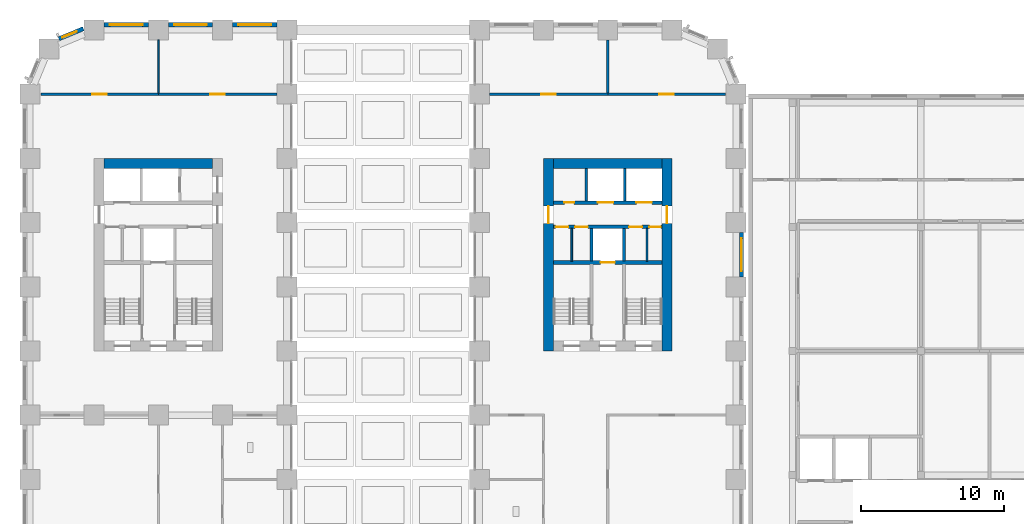
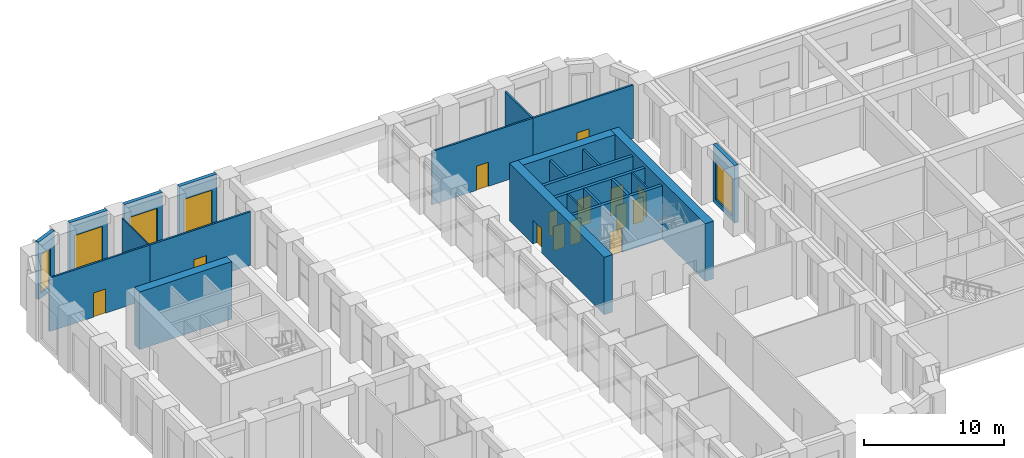
# One storey, part 12 of 24: 24 walls, 14 doors, 5 windows, 19 openings.
"""IFC4 building model written with IfcOpenShell, lengths in metres."""

from ifc_helpers import new_model, si_unit, direction, frame, frame_2d, origin, place, context, subcontext, project, spatial, rectangle, extrude, material, layer, layer_set, type_object, element, fill, save


model = new_model("IFC4")

# Units and contexts
model_context = context("Model", 3, precision=1e-05, world=origin(), true_north=direction((0.0, 1.0)))
body_context = subcontext(model_context, "Body", "Model", "MODEL_VIEW")
ifc_project = project(units=[si_unit("LENGTHUNIT", "METRE"), si_unit("AREAUNIT", "SQUARE_METRE"), si_unit("VOLUMEUNIT", "CUBIC_METRE"), si_unit("PLANEANGLEUNIT", "RADIAN"), si_unit("MASSUNIT", "GRAM", prefix="KILO")], contexts=[model_context])

# Site, building, storey
site_placement = place(None, origin())
site = spatial("IfcSite", under=ifc_project, at=site_placement, CompositionType="ELEMENT")
building_placement = place(site_placement, origin())
building = spatial("IfcBuilding", under=site, at=building_placement, Name="Girih Gate Residences", CompositionType="ELEMENT")
storey_placement = place(building_placement, frame((0.0, 0.0, 16.0)))
storey = spatial("IfcBuildingStorey", under=building, at=storey_placement, Name="L03", CompositionType="ELEMENT", Elevation=16.0)

# Wall
ifc_material_1 = material(Name="Gypsum board on steel studs", Category="steel")
ifc_layer_1 = layer(ifc_material_1, 0.14990234375)
ifc_layer_set_1 = layer_set([ifc_layer_1], Name="Compartment wall 150 mm")
wall_type_1 = type_object("IfcWallType", Name="Compartment wall 150 mm", PredefinedType="PARTITIONING", material=ifc_layer_set_1)
wall_1_placement = place(storey_placement, frame((40.5, 45.074951171875, 0.0), z_axis=(0.0, 0.0, 1.0), x_axis=(0.0, 1.0, 0.0)))
element("IfcWall", 1, at=wall_1_placement, inside=storey, type_object=wall_type_1, Name="L03 partition", PredefinedType="PARTITIONING", context=body_context, shape_type="SweptSolid", body=[
    extrude(rectangle(XDim=3.72509765625, YDim=0.14990234375, at=frame_2d((1.862548828125, 0.0))), origin(), (0.0, 0.0, 1.0), 4.64990234375),
])

# Wall, opening, door
wall_2_placement = place(storey_placement, frame((40.5, 45.0, 0.0), z_axis=(0.0, 0.0, 1.0), x_axis=(1.0, 0.0, 0.0)))
wall_2 = element("IfcWall", 2, at=wall_2_placement, inside=storey, type_object=wall_type_1, Name="L03 partition", PredefinedType="PARTITIONING", context=body_context, shape_type="SweptSolid", body=[
    extrude(rectangle(XDim=8.242431640625, YDim=0.14990234375, at=frame_2d((4.12109375, 0.0))), origin(), (0.0, 0.0, 1.0), 4.64990234375),
])
opening_1_placement = place(wall_2_placement, frame((3.62109375, 0.0, 0.0)))
opening_1 = element("IfcOpeningElement", 3, at=opening_1_placement, cuts=wall_2, Name="Opening D-L03-S-009", PredefinedType="OPENING", context=body_context, shape_type="SweptSolid", body=[
    extrude(rectangle(XDim=1.0, YDim=2.10009765625, at=frame_2d((0.5, 1.050048828125))), frame((0.0, 0.0849609375, 0.0), z_axis=(0.0, -1.0, 0.0), x_axis=(1.0, 0.0, 0.0)), (0.0, 0.0, 1.0), 0.169921875),
])
ifc_material_2 = material(Name="Timber, fire-rated core", Category="wood")
door_type_1 = type_object("IfcDoorType", Name="Amenity door 1000x2100 FD30S", OperationType="SINGLE_SWING_LEFT", PredefinedType="DOOR", material=ifc_material_2)
door_1_placement = place(opening_1_placement, origin())
door_1 = element("IfcDoor", 4, at=door_1_placement, inside=storey, type_object=door_type_1, Name="Door L03-009", OperationType="SINGLE_SWING_RIGHT", OverallHeight=2.10009765625, OverallWidth=1.0, PredefinedType="DOOR", context=body_context, shape_type="SweptSolid", body=[
    extrude(rectangle(XDim=1.0, YDim=2.10009765625, at=frame_2d((0.5, 1.050048828125))), frame((0.0, 0.02490234375, 0.0), z_axis=(0.0, -1.0, 0.0), x_axis=(1.0, 0.0, 0.0)), (0.0, 0.0, 1.0), 0.050048828125),
])
fill(opening_1, door_1)

wall_3_placement = place(storey_placement, frame((32.199951171875, 45.0, 0.0), z_axis=(0.0, 0.0, 1.0), x_axis=(1.0, 0.0, 0.0)))
wall_3 = element("IfcWall", 5, at=wall_3_placement, inside=storey, type_object=wall_type_1, Name="L03 partition", PredefinedType="PARTITIONING", context=body_context, shape_type="SweptSolid", body=[
    extrude(rectangle(XDim=8.300048828125, YDim=0.14990234375, at=frame_2d((4.14990234375, 0.0))), origin(), (0.0, 0.0, 1.0), 4.64990234375),
])
opening_2_placement = place(wall_3_placement, frame((3.64990234375, 0.0, 0.0)))
opening_2 = element("IfcOpeningElement", 6, at=opening_2_placement, cuts=wall_3, Name="Opening D-L03-S-010", PredefinedType="OPENING", context=body_context, shape_type="SweptSolid", body=[
    extrude(rectangle(XDim=1.0, YDim=2.10009765625, at=frame_2d((0.5, 1.050048828125))), frame((0.0, 0.0849609375, 0.0), z_axis=(0.0, -1.0, 0.0), x_axis=(1.0, 0.0, 0.0)), (0.0, 0.0, 1.0), 0.169921875),
])
door_2_placement = place(opening_2_placement, origin())
door_2 = element("IfcDoor", 7, at=door_2_placement, inside=storey, type_object=door_type_1, Name="Door L03-010", OperationType="SINGLE_SWING_RIGHT", OverallHeight=2.10009765625, OverallWidth=1.0, PredefinedType="DOOR", context=body_context, shape_type="SweptSolid", body=[
    extrude(rectangle(XDim=1.0, YDim=2.10009765625, at=frame_2d((0.5, 1.050048828125))), frame((0.0, 0.02490234375, 0.0), z_axis=(0.0, -1.0, 0.0), x_axis=(1.0, 0.0, 0.0)), (0.0, 0.0, 1.0), 0.050048828125),
])
fill(opening_2, door_2)

wall_4_placement = place(storey_placement, frame((0.757568359375, 45.0, 0.0), z_axis=(0.0, 0.0, 1.0), x_axis=(1.0, 0.0, 0.0)))
wall_4 = element("IfcWall", 8, at=wall_4_placement, inside=storey, type_object=wall_type_1, Name="L03 partition", PredefinedType="PARTITIONING", context=body_context, shape_type="SweptSolid", body=[
    extrude(rectangle(XDim=8.242431640625, YDim=0.14990234375, at=frame_2d((4.12109375, 0.0))), origin(), (0.0, 0.0, 1.0), 4.64990234375),
])
opening_3_placement = place(wall_4_placement, frame((3.62109375, 0.0, 0.0)))
opening_3 = element("IfcOpeningElement", 9, at=opening_3_placement, cuts=wall_4, Name="Opening D-L03-S-019", PredefinedType="OPENING", context=body_context, shape_type="SweptSolid", body=[
    extrude(rectangle(XDim=1.0, YDim=2.10009765625, at=frame_2d((0.5, 1.050048828125))), frame((0.0, 0.0849609375, 0.0), z_axis=(0.0, -1.0, 0.0), x_axis=(1.0, 0.0, 0.0)), (0.0, 0.0, 1.0), 0.169921875),
])
door_3_placement = place(opening_3_placement, origin())
door_3 = element("IfcDoor", 10, at=door_3_placement, inside=storey, type_object=door_type_1, Name="Door L03-019", OperationType="SINGLE_SWING_RIGHT", OverallHeight=2.10009765625, OverallWidth=1.0, PredefinedType="DOOR", context=body_context, shape_type="SweptSolid", body=[
    extrude(rectangle(XDim=1.0, YDim=2.10009765625, at=frame_2d((0.5, 1.050048828125))), frame((0.0, 0.02490234375, 0.0), z_axis=(0.0, -1.0, 0.0), x_axis=(1.0, 0.0, 0.0)), (0.0, 0.0, 1.0), 0.050048828125),
])
fill(opening_3, door_3)

wall_5_placement = place(storey_placement, frame((9.0, 45.0, 0.0), z_axis=(0.0, 0.0, 1.0), x_axis=(1.0, 0.0, 0.0)))
wall_5 = element("IfcWall", 11, at=wall_5_placement, inside=storey, type_object=wall_type_1, Name="L03 partition", PredefinedType="PARTITIONING", context=body_context, shape_type="SweptSolid", body=[
    extrude(rectangle(XDim=8.300048828125, YDim=0.14990234375, at=frame_2d((4.14990234375, 0.0))), origin(), (0.0, 0.0, 1.0), 4.64990234375),
])
opening_4_placement = place(wall_5_placement, frame((3.64990234375, 0.0, 0.0)))
opening_4 = element("IfcOpeningElement", 12, at=opening_4_placement, cuts=wall_5, Name="Opening D-L03-S-020", PredefinedType="OPENING", context=body_context, shape_type="SweptSolid", body=[
    extrude(rectangle(XDim=1.0, YDim=2.10009765625, at=frame_2d((0.5, 1.050048828125))), frame((0.0, 0.0849609375, 0.0), z_axis=(0.0, -1.0, 0.0), x_axis=(1.0, 0.0, 0.0)), (0.0, 0.0, 1.0), 0.169921875),
])
door_4_placement = place(opening_4_placement, origin())
door_4 = element("IfcDoor", 13, at=door_4_placement, inside=storey, type_object=door_type_1, Name="Door L03-020", OperationType="SINGLE_SWING_RIGHT", OverallHeight=2.10009765625, OverallWidth=1.0, PredefinedType="DOOR", context=body_context, shape_type="SweptSolid", body=[
    extrude(rectangle(XDim=1.0, YDim=2.10009765625, at=frame_2d((0.5, 1.050048828125))), frame((0.0, 0.02490234375, 0.0), z_axis=(0.0, -1.0, 0.0), x_axis=(1.0, 0.0, 0.0)), (0.0, 0.0, 1.0), 0.050048828125),
])
fill(opening_4, door_4)

# Walls
ifc_material_3 = material(Name="Concrete C60/75", Category="concrete")
ifc_layer_2 = layer(ifc_material_3, 0.699951171875)
ifc_layer_set_2 = layer_set([ifc_layer_2], Name="Core wall RC 700 Concrete C60/75")
wall_type_2 = type_object("IfcWallType", Name="Core wall RC 700 Concrete C60/75", PredefinedType="SOLIDWALL", material=ifc_layer_set_2)
for number, where, z_axis, x_axis, name in (
    (14, (5.199951171875, 40.14990234375, 0.0), (0.0, 0.0, 1.0), (1.0, 0.0, 0.0), "Core wall W-N L03"),
    (15, (36.699951171875, 40.14990234375, 0.0), (0.0, 0.0, 1.0), (1.0, 0.0, 0.0), "Core wall E-N L03"),
):
    element("IfcWall", number, at=place(storey_placement, frame(where, z_axis=z_axis, x_axis=x_axis)), inside=storey, type_object=wall_type_2, Name=name, PredefinedType="SOLIDWALL", context=body_context, shape_type="SweptSolid", body=[
        extrude(rectangle(XDim=7.60009765625, YDim=0.699951171875, at=frame_2d((3.800048828125, 0.0))), origin(), (0.0, 0.0, 1.0), 5.0),
    ])

# Wall, opening, door
wall_6_placement = place(storey_placement, frame((36.35009765625, 27.0, 0.0), z_axis=(0.0, 0.0, 1.0), x_axis=(0.0, 1.0, 0.0)))
wall_6 = element("IfcWall", 16, at=wall_6_placement, inside=storey, type_object=wall_type_2, Name="Core wall E-W L03", PredefinedType="SOLIDWALL", context=body_context, shape_type="SweptSolid", body=[
    extrude(rectangle(XDim=13.5, YDim=0.699951171875, at=frame_2d((6.75, 0.0))), origin(), (0.0, 0.0, 1.0), 5.0),
])
opening_5_placement = place(wall_6_placement, frame((8.949951171875, 0.0, 0.0)))
opening_5 = element("IfcOpeningElement", 17, at=opening_5_placement, cuts=wall_6, Name="Opening D-L03-E-014", PredefinedType="OPENING", context=body_context, shape_type="SweptSolid", body=[
    extrude(rectangle(XDim=1.199951171875, YDim=2.10009765625, at=frame_2d((0.60009765625, 1.050048828125))), frame((0.0, 0.35986328125, 0.0), z_axis=(0.0, -1.0, 0.0), x_axis=(1.0, 0.0, 0.0)), (0.0, 0.0, 1.0), 0.719970703125),
])
ifc_material_4 = material(Name="Painted steel, fire-resisting", Category="steel")
door_type_2 = type_object("IfcDoorType", Name="Fire door 1200x2100", OperationType="SINGLE_SWING_LEFT", PredefinedType="DOOR", material=ifc_material_4)
door_5_placement = place(opening_5_placement, origin())
door_5 = element("IfcDoor", 18, at=door_5_placement, inside=storey, type_object=door_type_2, Name="L03 E core door ll-w", OperationType="SINGLE_SWING_LEFT", OverallHeight=2.10009765625, OverallWidth=1.199951171875, PredefinedType="DOOR", context=body_context, shape_type="SweptSolid", body=[
    extrude(rectangle(XDim=1.199951171875, YDim=2.10009765625, at=frame_2d((0.60009765625, 1.050048828125))), frame((0.0, 0.02490234375, 0.0), z_axis=(0.0, -1.0, 0.0), x_axis=(1.0, 0.0, 0.0)), (0.0, 0.0, 1.0), 0.050048828125),
])
fill(opening_5, door_5)

wall_7_placement = place(storey_placement, frame((44.64990234375, 27.0, 0.0), z_axis=(0.0, 0.0, 1.0), x_axis=(0.0, 1.0, 0.0)))
wall_7 = element("IfcWall", 19, at=wall_7_placement, inside=storey, type_object=wall_type_2, Name="Core wall E-E L03", PredefinedType="SOLIDWALL", context=body_context, shape_type="SweptSolid", body=[
    extrude(rectangle(XDim=13.5, YDim=0.699951171875, at=frame_2d((6.75, 0.0))), origin(), (0.0, 0.0, 1.0), 5.0),
])
opening_6_placement = place(wall_7_placement, frame((8.949951171875, 0.0, 0.0)))
opening_6 = element("IfcOpeningElement", 20, at=opening_6_placement, cuts=wall_7, Name="Opening D-L03-E-015", PredefinedType="OPENING", context=body_context, shape_type="SweptSolid", body=[
    extrude(rectangle(XDim=1.199951171875, YDim=2.10009765625, at=frame_2d((0.60009765625, 1.050048828125))), frame((0.0, 0.35986328125, 0.0), z_axis=(0.0, -1.0, 0.0), x_axis=(1.0, 0.0, 0.0)), (0.0, 0.0, 1.0), 0.719970703125),
])
door_6_placement = place(opening_6_placement, origin())
door_6 = element("IfcDoor", 21, at=door_6_placement, inside=storey, type_object=door_type_2, Name="L03 E core door ll-e", OperationType="SINGLE_SWING_LEFT", OverallHeight=2.10009765625, OverallWidth=1.199951171875, PredefinedType="DOOR", context=body_context, shape_type="SweptSolid", body=[
    extrude(rectangle(XDim=1.199951171875, YDim=2.10009765625, at=frame_2d((0.60009765625, 1.050048828125))), frame((0.0, 0.02490234375, 0.0), z_axis=(0.0, -1.0, 0.0), x_axis=(1.0, 0.0, 0.0)), (0.0, 0.0, 1.0), 0.050048828125),
])
fill(opening_6, door_6)

ifc_material_5 = material(Name="Concrete C40/50", Category="concrete")
ifc_layer_3 = layer(ifc_material_5, 0.25)
ifc_layer_set_3 = layer_set([ifc_layer_3], Name="Lift shaft wall 250")
wall_type_3 = type_object("IfcWallType", Name="Lift shaft wall 250", PredefinedType="SOLIDWALL", material=ifc_layer_set_3)
wall_8_placement = place(storey_placement, frame((36.699951171875, 33.199951171875, 0.0), z_axis=(0.0, 0.0, 1.0), x_axis=(1.0, 0.0, 0.0)))
wall_8 = element("IfcWall", 22, at=wall_8_placement, inside=storey, type_object=wall_type_3, Name="L03 E core wall H1", PredefinedType="SOLIDWALL", context=body_context, shape_type="SweptSolid", body=[
    extrude(rectangle(XDim=7.60009765625, YDim=0.25, at=frame_2d((3.800048828125, 0.0))), origin(), (0.0, 0.0, 1.0), 4.64990234375),
])
opening_7_placement = place(wall_8_placement, frame((3.300048828125, 0.0, 0.0)))
opening_7 = element("IfcOpeningElement", 23, at=opening_7_placement, cuts=wall_8, Name="Opening D-L03-E-005", PredefinedType="OPENING", context=body_context, shape_type="SweptSolid", body=[
    extrude(rectangle(XDim=1.0, YDim=2.10009765625, at=frame_2d((0.5, 1.050048828125))), frame((0.0, 0.135009765625, 0.0), z_axis=(0.0, -1.0, 0.0), x_axis=(1.0, 0.0, 0.0)), (0.0, 0.0, 1.0), 0.27001953125),
])
ifc_material_6 = material(Name="Stainless steel, fire-resisting", Category="steel")
door_type_3 = type_object("IfcDoorType", Name="Firefighting lift landing door 1000x2100", OperationType="SLIDING_TO_LEFT", PredefinedType="DOOR", material=ifc_material_6)
door_7_placement = place(opening_7_placement, origin())
door_7 = element("IfcDoor", 24, at=door_7_placement, inside=storey, type_object=door_type_3, Name="L03 lift FF-E landing door", OperationType="SLIDING_TO_LEFT", OverallHeight=2.10009765625, OverallWidth=1.0, PredefinedType="DOOR", context=body_context, shape_type="SweptSolid", body=[
    extrude(rectangle(XDim=1.0, YDim=2.10009765625, at=frame_2d((0.5, 1.050048828125))), frame((0.0, 0.02490234375, 0.0), z_axis=(0.0, -1.0, 0.0), x_axis=(1.0, 0.0, 0.0)), (0.0, 0.0, 1.0), 0.050048828125),
])
fill(opening_7, door_7)

# Wall, openings, doors
wall_9_placement = place(storey_placement, frame((36.699951171875, 35.699951171875, 0.0), z_axis=(0.0, 0.0, 1.0), x_axis=(1.0, 0.0, 0.0)))
wall_9 = element("IfcWall", 25, at=wall_9_placement, inside=storey, type_object=wall_type_3, Name="L03 E core wall H2", PredefinedType="SOLIDWALL", context=body_context, shape_type="SweptSolid", body=[
    extrude(rectangle(XDim=7.60009765625, YDim=0.25, at=frame_2d((3.800048828125, 0.0))), origin(), (0.0, 0.0, 1.0), 4.64990234375),
])
opening_8_placement = place(wall_9_placement, frame((6.72509765625, 0.0, 0.0)))
opening_8 = element("IfcOpeningElement", 26, at=opening_8_placement, cuts=wall_9, Name="Opening D-L03-E-007", PredefinedType="OPENING", context=body_context, shape_type="SweptSolid", body=[
    extrude(rectangle(XDim=0.800048828125, YDim=2.10009765625, at=frame_2d((0.39990234375, 1.050048828125))), frame((0.0, 0.135009765625, 0.0), z_axis=(0.0, -1.0, 0.0), x_axis=(1.0, 0.0, 0.0)), (0.0, 0.0, 1.0), 0.27001953125),
])
opening_9_placement = place(wall_9_placement, frame((5.300048828125, 0.0, 0.0)))
opening_9 = element("IfcOpeningElement", 27, at=opening_9_placement, cuts=wall_9, Name="Opening D-L03-E-008", PredefinedType="OPENING", context=body_context, shape_type="SweptSolid", body=[
    extrude(rectangle(XDim=0.89990234375, YDim=2.10009765625, at=frame_2d((0.449951171875, 1.050048828125))), frame((0.0, 0.135009765625, 0.0), z_axis=(0.0, -1.0, 0.0), x_axis=(1.0, 0.0, 0.0)), (0.0, 0.0, 1.0), 0.27001953125),
])
opening_10_placement = place(wall_9_placement, frame((1.512451171875, 0.0, 0.0)))
opening_10 = element("IfcOpeningElement", 28, at=opening_10_placement, cuts=wall_9, Name="Opening D-L03-E-009", PredefinedType="OPENING", context=body_context, shape_type="SweptSolid", body=[
    extrude(rectangle(XDim=0.89990234375, YDim=2.10009765625, at=frame_2d((0.449951171875, 1.050048828125))), frame((0.0, 0.135009765625, 0.0), z_axis=(0.0, -1.0, 0.0), x_axis=(1.0, 0.0, 0.0)), (0.0, 0.0, 1.0), 0.27001953125),
])
opening_11_placement = place(wall_9_placement, frame((0.137451171875, 0.0, 0.0)))
opening_11 = element("IfcOpeningElement", 29, at=opening_11_placement, cuts=wall_9, Name="Opening D-L03-E-010", PredefinedType="OPENING", context=body_context, shape_type="SweptSolid", body=[
    extrude(rectangle(XDim=0.89990234375, YDim=2.10009765625, at=frame_2d((0.449951171875, 1.050048828125))), frame((0.0, 0.135009765625, 0.0), z_axis=(0.0, -1.0, 0.0), x_axis=(1.0, 0.0, 0.0)), (0.0, 0.0, 1.0), 0.27001953125),
])
door_type_4 = type_object("IfcDoorType", Name="Fire door 800x2100", OperationType="SINGLE_SWING_LEFT", PredefinedType="DOOR", material=ifc_material_4)
door_8_placement = place(opening_8_placement, origin())
door_8 = element("IfcDoor", 30, at=door_8_placement, inside=storey, type_object=door_type_4, Name="L03 E store door", OperationType="SINGLE_SWING_LEFT", OverallHeight=2.10009765625, OverallWidth=0.800048828125, PredefinedType="DOOR", context=body_context, shape_type="SweptSolid", body=[
    extrude(rectangle(XDim=0.800048828125, YDim=2.10009765625, at=frame_2d((0.39990234375, 1.050048828125))), frame((0.0, 0.02490234375, 0.0), z_axis=(0.0, -1.0, 0.0), x_axis=(1.0, 0.0, 0.0)), (0.0, 0.0, 1.0), 0.050048828125),
])
fill(opening_8, door_8)
door_type_5 = type_object("IfcDoorType", Name="Fire door 900x2100", OperationType="SINGLE_SWING_LEFT", PredefinedType="DOOR", material=ifc_material_4)
door_9_placement = place(opening_9_placement, origin())
door_9 = element("IfcDoor", 31, at=door_9_placement, inside=storey, type_object=door_type_5, Name="L03 E comms room door", OperationType="SINGLE_SWING_LEFT", OverallHeight=2.10009765625, OverallWidth=0.89990234375, PredefinedType="DOOR", context=body_context, shape_type="SweptSolid", body=[
    extrude(rectangle(XDim=0.89990234375, YDim=2.10009765625, at=frame_2d((0.449951171875, 1.050048828125))), frame((0.0, 0.02490234375, 0.0), z_axis=(0.0, -1.0, 0.0), x_axis=(1.0, 0.0, 0.0)), (0.0, 0.0, 1.0), 0.050048828125),
])
fill(opening_9, door_9)
door_10_placement = place(opening_10_placement, origin())
door_10 = element("IfcDoor", 32, at=door_10_placement, inside=storey, type_object=door_type_5, Name="L03 E refuse store door", OperationType="SINGLE_SWING_LEFT", OverallHeight=2.10009765625, OverallWidth=0.89990234375, PredefinedType="DOOR", context=body_context, shape_type="SweptSolid", body=[
    extrude(rectangle(XDim=0.89990234375, YDim=2.10009765625, at=frame_2d((0.449951171875, 1.050048828125))), frame((0.0, 0.02490234375, 0.0), z_axis=(0.0, -1.0, 0.0), x_axis=(1.0, 0.0, 0.0)), (0.0, 0.0, 1.0), 0.050048828125),
])
fill(opening_10, door_10)
door_11_placement = place(opening_11_placement, origin())
door_11 = element("IfcDoor", 33, at=door_11_placement, inside=storey, type_object=door_type_5, Name="L03 E cleaners store door", OperationType="SINGLE_SWING_LEFT", OverallHeight=2.10009765625, OverallWidth=0.89990234375, PredefinedType="DOOR", context=body_context, shape_type="SweptSolid", body=[
    extrude(rectangle(XDim=0.89990234375, YDim=2.10009765625, at=frame_2d((0.449951171875, 1.050048828125))), frame((0.0, 0.02490234375, 0.0), z_axis=(0.0, -1.0, 0.0), x_axis=(1.0, 0.0, 0.0)), (0.0, 0.0, 1.0), 0.050048828125),
])
fill(opening_11, door_11)

wall_10_placement = place(storey_placement, frame((36.699951171875, 37.39990234375, 0.0), z_axis=(0.0, 0.0, 1.0), x_axis=(1.0, 0.0, 0.0)))
wall_10 = element("IfcWall", 34, at=wall_10_placement, inside=storey, type_object=wall_type_3, Name="L03 E core wall H3", PredefinedType="SOLIDWALL", context=body_context, shape_type="SweptSolid", body=[
    extrude(rectangle(XDim=7.60009765625, YDim=0.25, at=frame_2d((3.800048828125, 0.0))), origin(), (0.0, 0.0, 1.0), 4.64990234375),
])
opening_12_placement = place(wall_10_placement, frame((5.800048828125, 0.0, 0.0)))
opening_12 = element("IfcOpeningElement", 35, at=opening_12_placement, cuts=wall_10, Name="Opening D-L03-E-003", PredefinedType="OPENING", context=body_context, shape_type="SweptSolid", body=[
    extrude(rectangle(XDim=1.10009765625, YDim=2.39990234375, at=frame_2d((0.550048828125, 1.199951171875))), frame((0.0, 0.135009765625, 0.0), z_axis=(0.0, -1.0, 0.0), x_axis=(1.0, 0.0, 0.0)), (0.0, 0.0, 1.0), 0.27001953125),
])
opening_13_placement = place(wall_10_placement, frame((3.10009765625, 0.0, 0.0)))
opening_13 = element("IfcOpeningElement", 36, at=opening_13_placement, cuts=wall_10, Name="Opening D-L03-E-004", PredefinedType="OPENING", context=body_context, shape_type="SweptSolid", body=[
    extrude(rectangle(XDim=1.10009765625, YDim=2.39990234375, at=frame_2d((0.550048828125, 1.199951171875))), frame((0.0, 0.135009765625, 0.0), z_axis=(0.0, -1.0, 0.0), x_axis=(1.0, 0.0, 0.0)), (0.0, 0.0, 1.0), 0.27001953125),
])
opening_14_placement = place(wall_10_placement, frame((0.75, 0.0, 0.0)))
opening_14 = element("IfcOpeningElement", 37, at=opening_14_placement, cuts=wall_10, Name="Opening D-L03-E-006", PredefinedType="OPENING", context=body_context, shape_type="SweptSolid", body=[
    extrude(rectangle(XDim=0.699951171875, YDim=2.10009765625, at=frame_2d((0.35009765625, 1.050048828125))), frame((0.0, 0.135009765625, 0.0), z_axis=(0.0, -1.0, 0.0), x_axis=(1.0, 0.0, 0.0)), (0.0, 0.0, 1.0), 0.27001953125),
])
ifc_material_7 = material(Name="Stainless steel", Category="steel")
door_type_6 = type_object("IfcDoorType", Name="Lift landing door 1100x2400", OperationType="SLIDING_TO_LEFT", PredefinedType="DOOR", material=ifc_material_7)
door_12_placement = place(opening_12_placement, origin())
door_12 = element("IfcDoor", 38, at=door_12_placement, inside=storey, type_object=door_type_6, Name="L03 lift LR-E1 landing door", OperationType="SLIDING_TO_LEFT", OverallHeight=2.39990234375, OverallWidth=1.10009765625, PredefinedType="DOOR", context=body_context, shape_type="SweptSolid", body=[
    extrude(rectangle(XDim=1.10009765625, YDim=2.39990234375, at=frame_2d((0.550048828125, 1.199951171875))), frame((0.0, 0.02490234375, 0.0), z_axis=(0.0, -1.0, 0.0), x_axis=(1.0, 0.0, 0.0)), (0.0, 0.0, 1.0), 0.050048828125),
])
fill(opening_12, door_12)
door_13_placement = place(opening_13_placement, origin())
door_13 = element("IfcDoor", 39, at=door_13_placement, inside=storey, type_object=door_type_6, Name="L03 lift LR-E2 landing door", OperationType="SLIDING_TO_LEFT", OverallHeight=2.39990234375, OverallWidth=1.10009765625, PredefinedType="DOOR", context=body_context, shape_type="SweptSolid", body=[
    extrude(rectangle(XDim=1.10009765625, YDim=2.39990234375, at=frame_2d((0.550048828125, 1.199951171875))), frame((0.0, 0.02490234375, 0.0), z_axis=(0.0, -1.0, 0.0), x_axis=(1.0, 0.0, 0.0)), (0.0, 0.0, 1.0), 0.050048828125),
])
fill(opening_13, door_13)
door_type_7 = type_object("IfcDoorType", Name="Riser access door 700x2100", OperationType="SINGLE_SWING_LEFT", PredefinedType="DOOR", material=ifc_material_4)
door_14_placement = place(opening_14_placement, origin())
door_14 = element("IfcDoor", 40, at=door_14_placement, inside=storey, type_object=door_type_7, Name="L03 E riser room door", OperationType="SINGLE_SWING_LEFT", OverallHeight=2.10009765625, OverallWidth=0.699951171875, PredefinedType="DOOR", context=body_context, shape_type="SweptSolid", body=[
    extrude(rectangle(XDim=0.699951171875, YDim=2.10009765625, at=frame_2d((0.35009765625, 1.050048828125))), frame((0.0, 0.02490234375, 0.0), z_axis=(0.0, -1.0, 0.0), x_axis=(1.0, 0.0, 0.0)), (0.0, 0.0, 1.0), 0.050048828125),
])
fill(opening_14, door_14)

# Wall
ifc_layer_4 = layer(ifc_material_1, 0.10009765625)
ifc_layer_set_4 = layer_set([ifc_layer_4], Name="Partition 100 mm")
wall_type_4 = type_object("IfcWallType", Name="Partition 100 mm", PredefinedType="PARTITIONING", material=ifc_layer_set_4)
wall_11_placement = place(storey_placement, frame((9.0, 45.074951171875, 0.0), z_axis=(0.0, 0.0, 1.0), x_axis=(0.0, 1.0, 0.0)))
element("IfcWall", 41, at=wall_11_placement, inside=storey, type_object=wall_type_4, Name="L03 partition", PredefinedType="PARTITIONING", context=body_context, shape_type="SweptSolid", body=[
    extrude(rectangle(XDim=3.72509765625, YDim=0.10009765625, at=frame_2d((1.862548828125, 0.0))), origin(), (0.0, 0.0, 1.0), 4.64990234375),
])

# Wall, opening, window
ifc_material_8 = material(Name="Precast concrete C50/60", Category="concrete")
ifc_layer_5 = layer(ifc_material_8, 0.080078125, Name="Outer leaf")
ifc_material_9 = material(Name="Rigid PIR insulation")
ifc_layer_6 = layer(ifc_material_9, 0.14990234375, Name="Insulation")
ifc_material_10 = material(Name="Precast concrete C40/50", Category="concrete")
ifc_layer_7 = layer(ifc_material_10, 0.070068359375, Name="Inner leaf")
ifc_layer_set_5 = layer_set([ifc_layer_5, ifc_layer_6, ifc_layer_7], Name="Precast concrete C50/60 external wall 300")
wall_type_5 = type_object("IfcWallType", Name="Precast concrete C50/60 external wall 300", PredefinedType="SOLIDWALL", material=ifc_layer_set_5)
wall_12_placement = place(storey_placement, frame((14.199951171875, 49.875, 0.0), z_axis=(0.0, 0.0, 1.0), x_axis=(1.0, 0.0, 0.0)))
wall_12 = element("IfcWall", 42, at=wall_12_placement, inside=storey, type_object=wall_type_5, Name="External wall N0180_0495.0", PredefinedType="SOLIDWALL", context=body_context, shape_type="SweptSolid", body=[
    extrude(rectangle(XDim=3.10009765625, YDim=0.300048828125, at=frame_2d((1.550048828125, 0.0))), origin(), (0.0, 0.0, 1.0), 5.0),
])
opening_15_placement = place(wall_12_placement, frame((0.39990234375, 0.0, 0.449951171875)))
opening_15 = element("IfcOpeningElement", 43, at=opening_15_placement, cuts=wall_12, Name="Opening W-3", PredefinedType="OPENING", context=body_context, shape_type="SweptSolid", body=[
    extrude(rectangle(XDim=2.300048828125, YDim=3.300048828125, at=frame_2d((1.14990234375, 1.64990234375))), frame((0.0, 0.159912109375, 0.0), z_axis=(0.0, -1.0, 0.0), x_axis=(1.0, 0.0, 0.0)), (0.0, 0.0, 1.0), 0.320068359375),
])
ifc_material_11 = material(Name="Double glazing in aluminium frame", Category="aluminium")
window_type_1 = type_object("IfcWindowType", Name="Window W-3 2300x3300", PartitioningType="SINGLE_PANEL", PredefinedType="WINDOW", material=ifc_material_11)
window_1_placement = place(opening_15_placement, origin())
window_1 = element("IfcWindow", 44, at=window_1_placement, inside=storey, type_object=window_type_1, Name="Window W-3 N0180_0495.0", OverallHeight=3.300048828125, OverallWidth=2.300048828125, PartitioningType="SINGLE_PANEL", PredefinedType="WINDOW", context=body_context, shape_type="SweptSolid", body=[
    extrude(rectangle(XDim=2.300048828125, YDim=3.300048828125, at=frame_2d((1.14990234375, 1.64990234375))), frame((0.0, 0.030029296875, 0.0), z_axis=(0.0, -1.0, 0.0), x_axis=(1.0, 0.0, 0.0)), (0.0, 0.0, 1.0), 0.06005859375),
])
fill(opening_15, window_1)

wall_13_placement = place(storey_placement, frame((9.699951171875, 49.875, 0.0), z_axis=(0.0, 0.0, 1.0), x_axis=(1.0, 0.0, 0.0)))
wall_13 = element("IfcWall", 45, at=wall_13_placement, inside=storey, type_object=wall_type_5, Name="External wall N0180_0495.1", PredefinedType="SOLIDWALL", context=body_context, shape_type="SweptSolid", body=[
    extrude(rectangle(XDim=3.10009765625, YDim=0.300048828125, at=frame_2d((1.550048828125, 0.0))), origin(), (0.0, 0.0, 1.0), 5.0),
])
opening_16_placement = place(wall_13_placement, frame((0.39990234375, 0.0, 0.449951171875)))
opening_16 = element("IfcOpeningElement", 46, at=opening_16_placement, cuts=wall_13, Name="Opening W-3", PredefinedType="OPENING", context=body_context, shape_type="SweptSolid", body=[
    extrude(rectangle(XDim=2.300048828125, YDim=3.300048828125, at=frame_2d((1.14990234375, 1.64990234375))), frame((0.0, 0.159912109375, 0.0), z_axis=(0.0, -1.0, 0.0), x_axis=(1.0, 0.0, 0.0)), (0.0, 0.0, 1.0), 0.320068359375),
])
window_2_placement = place(opening_16_placement, origin())
window_2 = element("IfcWindow", 47, at=window_2_placement, inside=storey, type_object=window_type_1, Name="Window W-3 N0180_0495.1", OverallHeight=3.300048828125, OverallWidth=2.300048828125, PartitioningType="SINGLE_PANEL", PredefinedType="WINDOW", context=body_context, shape_type="SweptSolid", body=[
    extrude(rectangle(XDim=2.300048828125, YDim=3.300048828125, at=frame_2d((1.14990234375, 1.64990234375))), frame((0.0, 0.030029296875, 0.0), z_axis=(0.0, -1.0, 0.0), x_axis=(1.0, 0.0, 0.0)), (0.0, 0.0, 1.0), 0.06005859375),
])
fill(opening_16, window_2)

wall_14_placement = place(storey_placement, frame((5.199951171875, 49.875, 0.0), z_axis=(0.0, 0.0, 1.0), x_axis=(1.0, 0.0, 0.0)))
wall_14 = element("IfcWall", 48, at=wall_14_placement, inside=storey, type_object=wall_type_5, Name="External wall N0180_0495.2", PredefinedType="SOLIDWALL", context=body_context, shape_type="SweptSolid", body=[
    extrude(rectangle(XDim=3.10009765625, YDim=0.300048828125, at=frame_2d((1.550048828125, 0.0))), origin(), (0.0, 0.0, 1.0), 5.0),
])
opening_17_placement = place(wall_14_placement, frame((0.39990234375, 0.0, 0.449951171875)))
opening_17 = element("IfcOpeningElement", 49, at=opening_17_placement, cuts=wall_14, Name="Opening W-3", PredefinedType="OPENING", context=body_context, shape_type="SweptSolid", body=[
    extrude(rectangle(XDim=2.300048828125, YDim=3.300048828125, at=frame_2d((1.14990234375, 1.64990234375))), frame((0.0, 0.159912109375, 0.0), z_axis=(0.0, -1.0, 0.0), x_axis=(1.0, 0.0, 0.0)), (0.0, 0.0, 1.0), 0.320068359375),
])
window_3_placement = place(opening_17_placement, origin())
window_3 = element("IfcWindow", 50, at=window_3_placement, inside=storey, type_object=window_type_1, Name="Window W-3 N0180_0495.2", OverallHeight=3.300048828125, OverallWidth=2.300048828125, PartitioningType="SINGLE_PANEL", PredefinedType="WINDOW", context=body_context, shape_type="SweptSolid", body=[
    extrude(rectangle(XDim=2.300048828125, YDim=3.300048828125, at=frame_2d((1.14990234375, 1.64990234375))), frame((0.0, 0.030029296875, 0.0), z_axis=(0.0, -1.0, 0.0), x_axis=(1.0, 0.0, 0.0)), (0.0, 0.0, 1.0), 0.06005859375),
])
fill(opening_17, window_3)

wall_15_placement = place(storey_placement, frame((2.01953125, 48.87841796875, 0.0), z_axis=(0.0, 0.0, 1.0), x_axis=(0.923903565336, 0.38262540684, 0.0)))
wall_15 = element("IfcWall", 51, at=wall_15_placement, inside=storey, type_object=wall_type_5, Name="External wall NW0045_0495.0", PredefinedType="SOLIDWALL", context=body_context, shape_type="SweptSolid", body=[
    extrude(rectangle(XDim=1.864990234375, YDim=0.300048828125, at=frame_2d((0.9326171875, 0.0))), origin(), (0.0, 0.0, 1.0), 5.0),
])
opening_18_placement = place(wall_15_placement, frame((0.257568359375, 0.0, 0.449951171875)))
opening_18 = element("IfcOpeningElement", 52, at=opening_18_placement, cuts=wall_15, Name="Opening W-2A", PredefinedType="OPENING", context=body_context, shape_type="SweptSolid", body=[
    extrude(rectangle(XDim=1.10009765625, YDim=3.300048828125, at=frame_2d((0.550048828125, 1.64990234375))), frame((0.0, 0.159912109375, 0.0), z_axis=(0.0, -1.0, 0.0), x_axis=(1.0, 0.0, 0.0)), (0.0, 0.0, 1.0), 0.320068359375),
])
window_type_2 = type_object("IfcWindowType", Name="Window W-2A 1100x3300", PartitioningType="SINGLE_PANEL", PredefinedType="WINDOW", material=ifc_material_11)
window_4_placement = place(opening_18_placement, origin())
window_4 = element("IfcWindow", 53, at=window_4_placement, inside=storey, type_object=window_type_2, Name="Window W-2A NW0045_0495.0", OverallHeight=3.300048828125, OverallWidth=1.10009765625, PartitioningType="SINGLE_PANEL", PredefinedType="WINDOW", context=body_context, shape_type="SweptSolid", body=[
    extrude(rectangle(XDim=1.10009765625, YDim=3.300048828125, at=frame_2d((0.550048828125, 1.64990234375))), frame((0.0, 0.030029296875, 0.0), z_axis=(0.0, -1.0, 0.0), x_axis=(1.0, 0.0, 0.0)), (0.0, 0.0, 1.0), 0.06005859375),
])
fill(opening_18, window_4)

wall_16_placement = place(storey_placement, frame((49.875, 35.300048828125, 0.0), z_axis=(0.0, 0.0, 1.0), x_axis=(0.0, -1.0, 0.0)))
wall_16 = element("IfcWall", 54, at=wall_16_placement, inside=storey, type_object=wall_type_5, Name="External wall E0495_0045.6", PredefinedType="SOLIDWALL", context=body_context, shape_type="SweptSolid", body=[
    extrude(rectangle(XDim=3.10009765625, YDim=0.300048828125, at=frame_2d((1.550048828125, 0.0))), origin(), (0.0, 0.0, 1.0), 5.0),
])
opening_19_placement = place(wall_16_placement, frame((0.39990234375, 0.0, 0.449951171875)))
opening_19 = element("IfcOpeningElement", 55, at=opening_19_placement, cuts=wall_16, Name="Opening W-3", PredefinedType="OPENING", context=body_context, shape_type="SweptSolid", body=[
    extrude(rectangle(XDim=2.300048828125, YDim=3.300048828125, at=frame_2d((1.14990234375, 1.64990234375))), frame((0.0, 0.159912109375, 0.0), z_axis=(0.0, -1.0, 0.0), x_axis=(1.0, 0.0, 0.0)), (0.0, 0.0, 1.0), 0.320068359375),
])
window_5_placement = place(opening_19_placement, origin())
window_5 = element("IfcWindow", 56, at=window_5_placement, inside=storey, type_object=window_type_1, Name="Window W-3 E0495_0045.6", OverallHeight=3.300048828125, OverallWidth=2.300048828125, PartitioningType="SINGLE_PANEL", PredefinedType="WINDOW", context=body_context, shape_type="SweptSolid", body=[
    extrude(rectangle(XDim=2.300048828125, YDim=3.300048828125, at=frame_2d((1.14990234375, 1.64990234375))), frame((0.0, 0.030029296875, 0.0), z_axis=(0.0, -1.0, 0.0), x_axis=(1.0, 0.0, 0.0)), (0.0, 0.0, 1.0), 0.06005859375),
])
fill(opening_19, window_5)

# Walls
ifc_layer_8 = layer(ifc_material_5, 0.175048828125)
ifc_layer_set_6 = layer_set([ifc_layer_8], Name="Riser shaft wall 175")
wall_type_6 = type_object("IfcWallType", Name="Riser shaft wall 175", PredefinedType="SOLIDWALL", material=ifc_layer_set_6)
for number, where, z_axis, x_axis, name in (
    (57, (41.699951171875, 37.5, 0.0), (0.0, 0.0, 1.0), (0.0, 1.0, 0.0), "L03 E core wall V1c"),
    (58, (39.0, 37.5, 0.0), (0.0, 0.0, 1.0), (0.0, 1.0, 0.0), "L03 E core wall V2c"),
):
    element("IfcWall", number, at=place(storey_placement, frame(where, z_axis=z_axis, x_axis=x_axis)), inside=storey, type_object=wall_type_6, Name=name, PredefinedType="SOLIDWALL", context=body_context, shape_type="SweptSolid", body=[
        extrude(rectangle(XDim=2.300048828125, YDim=0.175048828125, at=frame_2d((1.14990234375, 0.0))), origin(), (0.0, 0.0, 1.0), 4.64990234375),
    ])
ifc_layer_9 = layer(ifc_material_5, 0.199951171875)
ifc_layer_set_7 = layer_set([ifc_layer_9], Name="Shaft wall 200")
wall_type_7 = type_object("IfcWallType", Name="Shaft wall 200", PredefinedType="SOLIDWALL", material=ifc_layer_set_7)
for number, where, z_axis, x_axis, name in (
    (59, (41.64990234375, 33.300048828125, 0.0), (0.0, 0.0, 1.0), (0.0, 1.0, 0.0), "L03 E core wall V1b"),
    (60, (39.35009765625, 33.300048828125, 0.0), (0.0, 0.0, 1.0), (0.0, 1.0, 0.0), "L03 E core wall V2b"),
):
    element("IfcWall", number, at=place(storey_placement, frame(where, z_axis=z_axis, x_axis=x_axis)), inside=storey, type_object=wall_type_7, Name=name, PredefinedType="SOLIDWALL", context=body_context, shape_type="SweptSolid", body=[
        extrude(rectangle(XDim=2.300048828125, YDim=0.199951171875, at=frame_2d((1.14990234375, 0.0))), origin(), (0.0, 0.0, 1.0), 4.64990234375),
    ])
ifc_material_12 = material(Name="Calcium silicate blockwork", Category="masonry")
ifc_layer_10 = layer(ifc_material_12, 0.125)
ifc_layer_set_8 = layer_set([ifc_layer_10], Name="Store partition 125")
wall_type_8 = type_object("IfcWallType", Name="Store partition 125", PredefinedType="PARTITIONING", material=ifc_layer_set_8)
for number, where, z_axis, x_axis, name in (
    (61, (43.25, 33.300048828125, 0.0), (0.0, 0.0, 1.0), (0.0, 1.0, 0.0), "L03 E core wall SHR1"),
    (62, (37.97509765625, 33.300048828125, 0.0), (0.0, 0.0, 1.0), (0.0, 1.0, 0.0), "L03 E core wall SHR2"),
):
    element("IfcWall", number, at=place(storey_placement, frame(where, z_axis=z_axis, x_axis=x_axis)), inside=storey, type_object=wall_type_8, Name=name, PredefinedType="PARTITIONING", context=body_context, shape_type="SweptSolid", body=[
        extrude(rectangle(XDim=2.300048828125, YDim=0.125, at=frame_2d((1.14990234375, 0.0))), origin(), (0.0, 0.0, 1.0), 4.64990234375),
    ])

save(model, "model.ifc")
